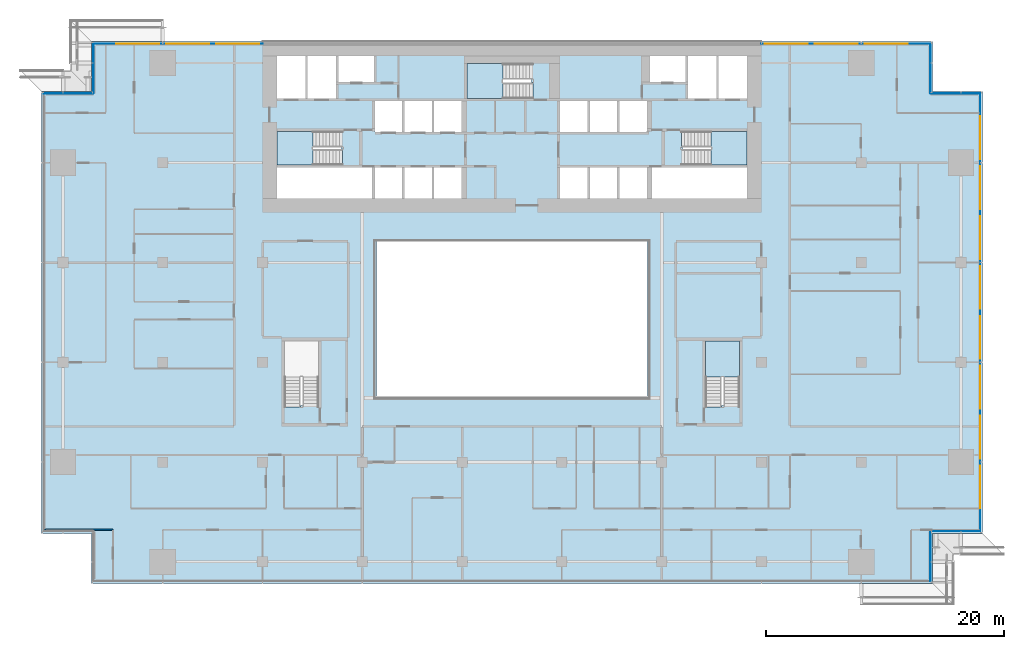
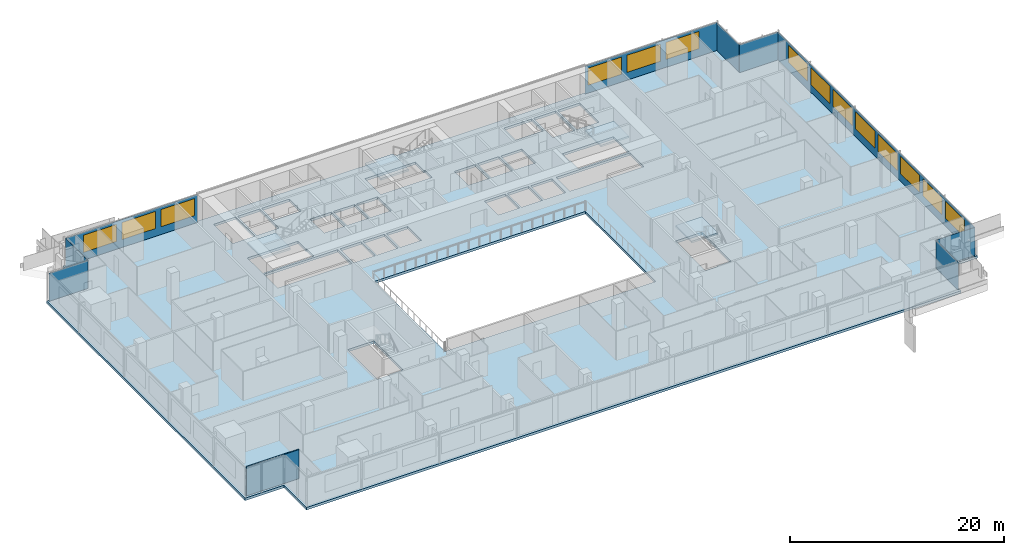
# One storey, part 17 of 30: 14 windows, 9 plates, 5 slabs, 1 wall, 14 openings, 12 elements without a shape of their own.
"""IFC4 building model written with IfcOpenShell, lengths in metres."""

from ifc_helpers import new_model, si_unit, direction, frame, frame_2d, origin, place, context, subcontext, project, spatial, polyline, rectangle, outline, extrude, material, layer, layer_set, type_object, element, fill, aggregate, save


model = new_model("IFC4")

# Units and contexts
model_context = context("Model", 3, precision=1e-05, world=origin(), true_north=direction((0.0, 1.0)))
body_context = subcontext(model_context, "Body", "Model", "MODEL_VIEW")
ifc_project = project(units=[si_unit("LENGTHUNIT", "METRE"), si_unit("AREAUNIT", "SQUARE_METRE"), si_unit("VOLUMEUNIT", "CUBIC_METRE"), si_unit("PLANEANGLEUNIT", "RADIAN"), si_unit("MASSUNIT", "GRAM", prefix="KILO")], contexts=[model_context])

# Site, building, storey
site_placement = place(None, origin())
site = spatial("IfcSite", under=ifc_project, at=site_placement, CompositionType="ELEMENT")
building_placement = place(site_placement, origin())
building = spatial("IfcBuilding", under=site, at=building_placement, Name="Saffron Gate Tower", CompositionType="ELEMENT")
storey_placement = place(building_placement, frame((0.0, 0.0, 69.60009765625)))
storey = spatial("IfcBuildingStorey", under=building, at=storey_placement, Name="L16", CompositionType="ELEMENT", Elevation=69.60009765625)

# Curtain wall, plate, openings, windows
ifc_material_1 = material(Name="Aluminium, bronze anodised", Category="aluminium")
curtain_wall_type_1 = type_object("IfcCurtainWallType", Name="CWS2 curtain wall side facades", PredefinedType="NOTDEFINED", material=ifc_material_1)
curtain_wall_1_placement = place(storey_placement, origin())
curtain_wall_1 = element("IfcCurtainWall", 1, at=curtain_wall_1_placement, inside=storey, type_object=curtain_wall_type_1, Name="CWS2 run 4", PredefinedType="NOTDEFINED")
ifc_material_2 = material(Name="Fritted bronze-tinted laminated glass", Category="glass")
ifc_layer_1 = layer(ifc_material_2, 0.028076171875)
ifc_layer_set_1 = layer_set([ifc_layer_1], Name="CWS2 fixed glass")
plate_type_1 = type_object("IfcPlateType", Name="CWS2 fixed glass", PredefinedType="CURTAIN_PANEL", material=ifc_layer_set_1)
plate_1_placement = place(storey_placement, frame((127.02587890625, 34.387939453125, 0.0), z_axis=(0.0, 0.0, 1.0), x_axis=(0.0, 1.0, 0.0)))
plate_1 = element("IfcPlate", 2, at=plate_1_placement, type_object=plate_type_1, Name="CWS2 glass panel", PredefinedType="CURTAIN_PANEL", context=body_context, shape_type="SweptSolid", body=[
    extrude(rectangle(XDim=36.823974609375, YDim=0.028076171875, at=frame_2d((18.412109375, 0.0))), origin(), (0.0, 0.0, 1.0), 3.199951171875),
])
opening_1_placement = place(plate_1_placement, frame((1.912109375, 0.0, 0.89990234375)))
opening_1 = element("IfcOpeningElement", 3, at=opening_1_placement, cuts=plate_1, Name="Opening W1", PredefinedType="OPENING", context=body_context, shape_type="SweptSolid", body=[
    extrude(rectangle(XDim=3.60009765625, YDim=1.949951171875, at=frame_2d((1.800048828125, 0.97509765625))), frame((0.0, 0.02392578125, 0.0), z_axis=(0.0, -1.0, 0.0), x_axis=(1.0, 0.0, 0.0)), (0.0, 0.0, 1.0), 0.048095703125),
])
opening_2_placement = place(plate_1_placement, frame((6.112060546875, 0.0, 0.89990234375)))
opening_2 = element("IfcOpeningElement", 4, at=opening_2_placement, cuts=plate_1, Name="Opening W1", PredefinedType="OPENING", context=body_context, shape_type="SweptSolid", body=[
    extrude(rectangle(XDim=3.60009765625, YDim=1.949951171875, at=frame_2d((1.800048828125, 0.97509765625))), frame((0.0, 0.02392578125, 0.0), z_axis=(0.0, -1.0, 0.0), x_axis=(1.0, 0.0, 0.0)), (0.0, 0.0, 1.0), 0.048095703125),
])
opening_3_placement = place(plate_1_placement, frame((10.31201171875, 0.0, 0.89990234375)))
opening_3 = element("IfcOpeningElement", 5, at=opening_3_placement, cuts=plate_1, Name="Opening W1", PredefinedType="OPENING", context=body_context, shape_type="SweptSolid", body=[
    extrude(rectangle(XDim=3.60009765625, YDim=1.949951171875, at=frame_2d((1.800048828125, 0.97509765625))), frame((0.0, 0.02392578125, 0.0), z_axis=(0.0, -1.0, 0.0), x_axis=(1.0, 0.0, 0.0)), (0.0, 0.0, 1.0), 0.048095703125),
])
opening_4_placement = place(plate_1_placement, frame((14.511962890625, 0.0, 0.89990234375)))
opening_4 = element("IfcOpeningElement", 6, at=opening_4_placement, cuts=plate_1, Name="Opening W1", PredefinedType="OPENING", context=body_context, shape_type="SweptSolid", body=[
    extrude(rectangle(XDim=3.60009765625, YDim=1.949951171875, at=frame_2d((1.800048828125, 0.97509765625))), frame((0.0, 0.02392578125, 0.0), z_axis=(0.0, -1.0, 0.0), x_axis=(1.0, 0.0, 0.0)), (0.0, 0.0, 1.0), 0.048095703125),
])
opening_5_placement = place(plate_1_placement, frame((18.7119140625, 0.0, 0.89990234375)))
opening_5 = element("IfcOpeningElement", 7, at=opening_5_placement, cuts=plate_1, Name="Opening W1", PredefinedType="OPENING", context=body_context, shape_type="SweptSolid", body=[
    extrude(rectangle(XDim=3.60009765625, YDim=1.949951171875, at=frame_2d((1.800048828125, 0.97509765625))), frame((0.0, 0.02392578125, 0.0), z_axis=(0.0, -1.0, 0.0), x_axis=(1.0, 0.0, 0.0)), (0.0, 0.0, 1.0), 0.048095703125),
])
opening_6_placement = place(plate_1_placement, frame((22.912109375, 0.0, 0.89990234375)))
opening_6 = element("IfcOpeningElement", 8, at=opening_6_placement, cuts=plate_1, Name="Opening W1", PredefinedType="OPENING", context=body_context, shape_type="SweptSolid", body=[
    extrude(rectangle(XDim=3.60009765625, YDim=1.949951171875, at=frame_2d((1.800048828125, 0.97509765625))), frame((0.0, 0.02392578125, 0.0), z_axis=(0.0, -1.0, 0.0), x_axis=(1.0, 0.0, 0.0)), (0.0, 0.0, 1.0), 0.048095703125),
])
opening_7_placement = place(plate_1_placement, frame((27.112060546875, 0.0, 0.89990234375)))
opening_7 = element("IfcOpeningElement", 9, at=opening_7_placement, cuts=plate_1, Name="Opening W1", PredefinedType="OPENING", context=body_context, shape_type="SweptSolid", body=[
    extrude(rectangle(XDim=3.60009765625, YDim=1.949951171875, at=frame_2d((1.800048828125, 0.97509765625))), frame((0.0, 0.02392578125, 0.0), z_axis=(0.0, -1.0, 0.0), x_axis=(1.0, 0.0, 0.0)), (0.0, 0.0, 1.0), 0.048095703125),
])
opening_8_placement = place(plate_1_placement, frame((31.31201171875, 0.0, 0.89990234375)))
opening_8 = element("IfcOpeningElement", 10, at=opening_8_placement, cuts=plate_1, Name="Opening W1", PredefinedType="OPENING", context=body_context, shape_type="SweptSolid", body=[
    extrude(rectangle(XDim=3.60009765625, YDim=1.949951171875, at=frame_2d((1.800048828125, 0.97509765625))), frame((0.0, 0.02392578125, 0.0), z_axis=(0.0, -1.0, 0.0), x_axis=(1.0, 0.0, 0.0)), (0.0, 0.0, 1.0), 0.048095703125),
])
ifc_material_3 = material(Name="Fritted bronze-tinted laminated glass in bronze frame", Category="glass")
ifc_layer_2 = layer(ifc_material_3, 0.06005859375)
ifc_layer_set_2 = layer_set([ifc_layer_2], Name="W1 operable panel 3600x1950")
window_type = type_object("IfcWindowType", Name="W1 operable panel 3600x1950", PartitioningType="DOUBLE_PANEL_HORIZONTAL", PredefinedType="WINDOW", material=ifc_layer_set_2)
window_1_placement = place(opening_1_placement, origin())
window_1 = element("IfcWindow", 11, at=window_1_placement, type_object=window_type, Name="W1 operable panel", OverallHeight=1.949951171875, OverallWidth=3.60009765625, PartitioningType="SINGLE_PANEL", PredefinedType="WINDOW", context=body_context, shape_type="SweptSolid", body=[
    extrude(rectangle(XDim=3.60009765625, YDim=1.949951171875, at=frame_2d((1.800048828125, 0.97509765625))), frame((0.0, 0.013671875, 0.0), z_axis=(0.0, -1.0, 0.0), x_axis=(1.0, 0.0, 0.0)), (0.0, 0.0, 1.0), 0.027587890625),
])
fill(opening_1, window_1)
window_2_placement = place(opening_2_placement, origin())
window_2 = element("IfcWindow", 12, at=window_2_placement, type_object=window_type, Name="W1 operable panel", OverallHeight=1.949951171875, OverallWidth=3.60009765625, PartitioningType="SINGLE_PANEL", PredefinedType="WINDOW", context=body_context, shape_type="SweptSolid", body=[
    extrude(rectangle(XDim=3.60009765625, YDim=1.949951171875, at=frame_2d((1.800048828125, 0.97509765625))), frame((0.0, 0.013671875, 0.0), z_axis=(0.0, -1.0, 0.0), x_axis=(1.0, 0.0, 0.0)), (0.0, 0.0, 1.0), 0.027587890625),
])
fill(opening_2, window_2)
window_3_placement = place(opening_3_placement, origin())
window_3 = element("IfcWindow", 13, at=window_3_placement, type_object=window_type, Name="W1 operable panel", OverallHeight=1.949951171875, OverallWidth=3.60009765625, PartitioningType="SINGLE_PANEL", PredefinedType="WINDOW", context=body_context, shape_type="SweptSolid", body=[
    extrude(rectangle(XDim=3.60009765625, YDim=1.949951171875, at=frame_2d((1.800048828125, 0.97509765625))), frame((0.0, 0.013671875, 0.0), z_axis=(0.0, -1.0, 0.0), x_axis=(1.0, 0.0, 0.0)), (0.0, 0.0, 1.0), 0.027587890625),
])
fill(opening_3, window_3)
window_4_placement = place(opening_4_placement, origin())
window_4 = element("IfcWindow", 14, at=window_4_placement, type_object=window_type, Name="W1 operable panel", OverallHeight=1.949951171875, OverallWidth=3.60009765625, PartitioningType="SINGLE_PANEL", PredefinedType="WINDOW", context=body_context, shape_type="SweptSolid", body=[
    extrude(rectangle(XDim=3.60009765625, YDim=1.949951171875, at=frame_2d((1.800048828125, 0.97509765625))), frame((0.0, 0.013671875, 0.0), z_axis=(0.0, -1.0, 0.0), x_axis=(1.0, 0.0, 0.0)), (0.0, 0.0, 1.0), 0.027587890625),
])
fill(opening_4, window_4)
window_5_placement = place(opening_5_placement, origin())
window_5 = element("IfcWindow", 15, at=window_5_placement, type_object=window_type, Name="W1 operable panel", OverallHeight=1.949951171875, OverallWidth=3.60009765625, PartitioningType="SINGLE_PANEL", PredefinedType="WINDOW", context=body_context, shape_type="SweptSolid", body=[
    extrude(rectangle(XDim=3.60009765625, YDim=1.949951171875, at=frame_2d((1.800048828125, 0.97509765625))), frame((0.0, 0.013671875, 0.0), z_axis=(0.0, -1.0, 0.0), x_axis=(1.0, 0.0, 0.0)), (0.0, 0.0, 1.0), 0.027587890625),
])
fill(opening_5, window_5)
window_6_placement = place(opening_6_placement, origin())
window_6 = element("IfcWindow", 16, at=window_6_placement, type_object=window_type, Name="W1 operable panel", OverallHeight=1.949951171875, OverallWidth=3.60009765625, PartitioningType="SINGLE_PANEL", PredefinedType="WINDOW", context=body_context, shape_type="SweptSolid", body=[
    extrude(rectangle(XDim=3.60009765625, YDim=1.949951171875, at=frame_2d((1.800048828125, 0.97509765625))), frame((0.0, 0.013671875, 0.0), z_axis=(0.0, -1.0, 0.0), x_axis=(1.0, 0.0, 0.0)), (0.0, 0.0, 1.0), 0.027587890625),
])
fill(opening_6, window_6)
window_7_placement = place(opening_7_placement, origin())
window_7 = element("IfcWindow", 17, at=window_7_placement, type_object=window_type, Name="W1 operable panel", OverallHeight=1.949951171875, OverallWidth=3.60009765625, PartitioningType="SINGLE_PANEL", PredefinedType="WINDOW", context=body_context, shape_type="SweptSolid", body=[
    extrude(rectangle(XDim=3.60009765625, YDim=1.949951171875, at=frame_2d((1.800048828125, 0.97509765625))), frame((0.0, 0.013671875, 0.0), z_axis=(0.0, -1.0, 0.0), x_axis=(1.0, 0.0, 0.0)), (0.0, 0.0, 1.0), 0.027587890625),
])
fill(opening_7, window_7)
window_8_placement = place(opening_8_placement, origin())
window_8 = element("IfcWindow", 18, at=window_8_placement, type_object=window_type, Name="W1 operable panel", OverallHeight=1.949951171875, OverallWidth=3.60009765625, PartitioningType="SINGLE_PANEL", PredefinedType="WINDOW", context=body_context, shape_type="SweptSolid", body=[
    extrude(rectangle(XDim=3.60009765625, YDim=1.949951171875, at=frame_2d((1.800048828125, 0.97509765625))), frame((0.0, 0.013671875, 0.0), z_axis=(0.0, -1.0, 0.0), x_axis=(1.0, 0.0, 0.0)), (0.0, 0.0, 1.0), 0.027587890625),
])
fill(opening_8, window_8)
aggregate(curtain_wall_1, [plate_1, window_1, window_2, window_3, window_4, window_5, window_6, window_7, window_8])

# Curtain wall, plates, openings, windows
curtain_wall_type_2 = type_object("IfcCurtainWallType", Name="CWS3 curtain wall rear facade", PredefinedType="NOTDEFINED", material=ifc_material_1)
curtain_wall_2_placement = place(storey_placement, origin())
curtain_wall_2 = element("IfcCurtainWall", 19, at=curtain_wall_2_placement, inside=storey, type_object=curtain_wall_type_2, Name="CWS3 run 7", PredefinedType="NOTDEFINED")
ifc_material_4 = material(Name="Fritted grey-tinted laminated glass", Category="glass")
ifc_layer_3 = layer(ifc_material_4, 0.028076171875)
ifc_layer_set_3 = layer_set([ifc_layer_3], Name="CWS3 fixed glass")
plate_type_2 = type_object("IfcPlateType", Name="CWS3 fixed glass", PredefinedType="CURTAIN_PANEL", material=ifc_layer_set_3)
plate_2_placement = place(storey_placement, frame((122.81201171875, 75.426025390625, 0.0), z_axis=(0.0, 0.0, 1.0), x_axis=(-1.0, 0.0, 0.0)))
plate_2 = element("IfcPlate", 20, at=plate_2_placement, type_object=plate_type_2, Name="CWS3 glass panel", PredefinedType="CURTAIN_PANEL", context=body_context, shape_type="SweptSolid", body=[
    extrude(rectangle(XDim=14.2470703125, YDim=0.028076171875, at=frame_2d((7.12353515625, 0.0))), origin(), (0.0, 0.0, 1.0), 3.199951171875),
])
opening_9_placement = place(plate_2_placement, frame((1.912109375, 0.0, 0.89990234375)))
opening_9 = element("IfcOpeningElement", 21, at=opening_9_placement, cuts=plate_2, Name="Opening W1", PredefinedType="OPENING", context=body_context, shape_type="SweptSolid", body=[
    extrude(rectangle(XDim=3.60009765625, YDim=1.949951171875, at=frame_2d((1.800048828125, 0.97509765625))), frame((0.0, 0.02392578125, 0.0), z_axis=(0.0, -1.0, 0.0), x_axis=(1.0, 0.0, 0.0)), (0.0, 0.0, 1.0), 0.048095703125),
])
opening_10_placement = place(plate_2_placement, frame((6.112060546875, 0.0, 0.89990234375)))
opening_10 = element("IfcOpeningElement", 22, at=opening_10_placement, cuts=plate_2, Name="Opening W1", PredefinedType="OPENING", context=body_context, shape_type="SweptSolid", body=[
    extrude(rectangle(XDim=3.60009765625, YDim=1.949951171875, at=frame_2d((1.800048828125, 0.97509765625))), frame((0.0, 0.02392578125, 0.0), z_axis=(0.0, -1.0, 0.0), x_axis=(1.0, 0.0, 0.0)), (0.0, 0.0, 1.0), 0.048095703125),
])
opening_11_placement = place(plate_2_placement, frame((10.31201171875, 0.0, 0.89990234375)))
opening_11 = element("IfcOpeningElement", 23, at=opening_11_placement, cuts=plate_2, Name="Opening W1", PredefinedType="OPENING", context=body_context, shape_type="SweptSolid", body=[
    extrude(rectangle(XDim=3.60009765625, YDim=1.949951171875, at=frame_2d((1.800048828125, 0.97509765625))), frame((0.0, 0.02392578125, 0.0), z_axis=(0.0, -1.0, 0.0), x_axis=(1.0, 0.0, 0.0)), (0.0, 0.0, 1.0), 0.048095703125),
])
window_9_placement = place(opening_9_placement, origin())
window_9 = element("IfcWindow", 24, at=window_9_placement, type_object=window_type, Name="W1 operable panel", OverallHeight=1.949951171875, OverallWidth=3.60009765625, PartitioningType="SINGLE_PANEL", PredefinedType="WINDOW", context=body_context, shape_type="SweptSolid", body=[
    extrude(rectangle(XDim=3.60009765625, YDim=1.949951171875, at=frame_2d((1.800048828125, 0.97509765625))), frame((0.0, 0.013671875, 0.0), z_axis=(0.0, -1.0, 0.0), x_axis=(1.0, 0.0, 0.0)), (0.0, 0.0, 1.0), 0.027587890625),
])
fill(opening_9, window_9)
window_10_placement = place(opening_10_placement, origin())
window_10 = element("IfcWindow", 25, at=window_10_placement, type_object=window_type, Name="W1 operable panel", OverallHeight=1.949951171875, OverallWidth=3.60009765625, PartitioningType="SINGLE_PANEL", PredefinedType="WINDOW", context=body_context, shape_type="SweptSolid", body=[
    extrude(rectangle(XDim=3.60009765625, YDim=1.949951171875, at=frame_2d((1.800048828125, 0.97509765625))), frame((0.0, 0.013671875, 0.0), z_axis=(0.0, -1.0, 0.0), x_axis=(1.0, 0.0, 0.0)), (0.0, 0.0, 1.0), 0.027587890625),
])
fill(opening_10, window_10)
window_11_placement = place(opening_11_placement, origin())
window_11 = element("IfcWindow", 26, at=window_11_placement, type_object=window_type, Name="W1 operable panel", OverallHeight=1.949951171875, OverallWidth=3.60009765625, PartitioningType="SINGLE_PANEL", PredefinedType="WINDOW", context=body_context, shape_type="SweptSolid", body=[
    extrude(rectangle(XDim=3.60009765625, YDim=1.949951171875, at=frame_2d((1.800048828125, 0.97509765625))), frame((0.0, 0.013671875, 0.0), z_axis=(0.0, -1.0, 0.0), x_axis=(1.0, 0.0, 0.0)), (0.0, 0.0, 1.0), 0.027587890625),
])
fill(opening_11, window_11)
plate_3_placement = place(storey_placement, frame((66.635009765625, 75.426025390625, 0.0), z_axis=(0.0, 0.0, 1.0), x_axis=(-1.0, 0.0, 0.0)))
plate_3 = element("IfcPlate", 27, at=plate_3_placement, type_object=plate_type_2, Name="CWS3 glass panel", PredefinedType="CURTAIN_PANEL", context=body_context, shape_type="SweptSolid", body=[
    extrude(rectangle(XDim=14.2470703125, YDim=0.028076171875, at=frame_2d((7.12353515625, 0.0))), origin(), (0.0, 0.0, 1.0), 3.199951171875),
])
opening_12_placement = place(plate_3_placement, frame((0.3349609375, 0.0, 0.89990234375)))
opening_12 = element("IfcOpeningElement", 28, at=opening_12_placement, cuts=plate_3, Name="Opening W1", PredefinedType="OPENING", context=body_context, shape_type="SweptSolid", body=[
    extrude(rectangle(XDim=3.60009765625, YDim=1.949951171875, at=frame_2d((1.800048828125, 0.97509765625))), frame((0.0, 0.02392578125, 0.0), z_axis=(0.0, -1.0, 0.0), x_axis=(1.0, 0.0, 0.0)), (0.0, 0.0, 1.0), 0.048095703125),
])
opening_13_placement = place(plate_3_placement, frame((4.534912109375, 0.0, 0.89990234375)))
opening_13 = element("IfcOpeningElement", 29, at=opening_13_placement, cuts=plate_3, Name="Opening W1", PredefinedType="OPENING", context=body_context, shape_type="SweptSolid", body=[
    extrude(rectangle(XDim=3.60009765625, YDim=1.949951171875, at=frame_2d((1.800048828125, 0.97509765625))), frame((0.0, 0.02392578125, 0.0), z_axis=(0.0, -1.0, 0.0), x_axis=(1.0, 0.0, 0.0)), (0.0, 0.0, 1.0), 0.048095703125),
])
opening_14_placement = place(plate_3_placement, frame((8.735107421875, 0.0, 0.89990234375)))
opening_14 = element("IfcOpeningElement", 30, at=opening_14_placement, cuts=plate_3, Name="Opening W1", PredefinedType="OPENING", context=body_context, shape_type="SweptSolid", body=[
    extrude(rectangle(XDim=3.60009765625, YDim=1.949951171875, at=frame_2d((1.800048828125, 0.97509765625))), frame((0.0, 0.02392578125, 0.0), z_axis=(0.0, -1.0, 0.0), x_axis=(1.0, 0.0, 0.0)), (0.0, 0.0, 1.0), 0.048095703125),
])
window_12_placement = place(opening_12_placement, origin())
window_12 = element("IfcWindow", 31, at=window_12_placement, type_object=window_type, Name="W1 operable panel", OverallHeight=1.949951171875, OverallWidth=3.60009765625, PartitioningType="SINGLE_PANEL", PredefinedType="WINDOW", context=body_context, shape_type="SweptSolid", body=[
    extrude(rectangle(XDim=3.60009765625, YDim=1.949951171875, at=frame_2d((1.800048828125, 0.97509765625))), frame((0.0, 0.013671875, 0.0), z_axis=(0.0, -1.0, 0.0), x_axis=(1.0, 0.0, 0.0)), (0.0, 0.0, 1.0), 0.027587890625),
])
fill(opening_12, window_12)
window_13_placement = place(opening_13_placement, origin())
window_13 = element("IfcWindow", 32, at=window_13_placement, type_object=window_type, Name="W1 operable panel", OverallHeight=1.949951171875, OverallWidth=3.60009765625, PartitioningType="SINGLE_PANEL", PredefinedType="WINDOW", context=body_context, shape_type="SweptSolid", body=[
    extrude(rectangle(XDim=3.60009765625, YDim=1.949951171875, at=frame_2d((1.800048828125, 0.97509765625))), frame((0.0, 0.013671875, 0.0), z_axis=(0.0, -1.0, 0.0), x_axis=(1.0, 0.0, 0.0)), (0.0, 0.0, 1.0), 0.027587890625),
])
fill(opening_13, window_13)
window_14_placement = place(opening_14_placement, origin())
window_14 = element("IfcWindow", 33, at=window_14_placement, type_object=window_type, Name="W1 operable panel", OverallHeight=1.949951171875, OverallWidth=3.60009765625, PartitioningType="SINGLE_PANEL", PredefinedType="WINDOW", context=body_context, shape_type="SweptSolid", body=[
    extrude(rectangle(XDim=3.60009765625, YDim=1.949951171875, at=frame_2d((1.800048828125, 0.97509765625))), frame((0.0, 0.013671875, 0.0), z_axis=(0.0, -1.0, 0.0), x_axis=(1.0, 0.0, 0.0)), (0.0, 0.0, 1.0), 0.027587890625),
])
fill(opening_14, window_14)
aggregate(curtain_wall_2, [plate_2, plate_3, window_9, window_10, window_11, window_12, window_13, window_14])

# Curtain wall, plate
curtain_wall_type_3 = type_object("IfcCurtainWallType", Name="CWS4 curtain wall corner returns", PredefinedType="NOTDEFINED", material=ifc_material_1)
curtain_wall_3_placement = place(storey_placement, origin())
curtain_wall_3 = element("IfcCurtainWall", 34, at=curtain_wall_3_placement, inside=storey, type_object=curtain_wall_type_3, Name="CWS4 run 2", PredefinedType="NOTDEFINED")
ifc_layer_4 = layer(ifc_material_2, 0.028076171875)
ifc_layer_set_4 = layer_set([ifc_layer_4], Name="CWS4 fixed glass")
plate_type_3 = type_object("IfcPlateType", Name="CWS4 fixed glass", PredefinedType="CURTAIN_PANEL", material=ifc_layer_set_4)
plate_4_placement = place(storey_placement, frame((122.825927734375, 30.18798828125, 0.0), z_axis=(0.0, 0.0, 1.0), x_axis=(0.0, 1.0, 0.0)))
plate_4 = element("IfcPlate", 35, at=plate_4_placement, type_object=plate_type_3, Name="CWS4 glass panel", PredefinedType="CURTAIN_PANEL", context=body_context, shape_type="SweptSolid", body=[
    extrude(rectangle(XDim=4.172119140625, YDim=0.028076171875, at=frame_2d((2.0859375, 0.0))), origin(), (0.0, 0.0, 1.0), 3.199951171875),
])
aggregate(curtain_wall_3, [plate_4])

curtain_wall_4_placement = place(storey_placement, origin())
curtain_wall_4 = element("IfcCurtainWall", 36, at=curtain_wall_4_placement, inside=storey, type_object=curtain_wall_type_3, Name="CWS4 run 3", PredefinedType="NOTDEFINED")
plate_5_placement = place(storey_placement, frame((122.840087890625, 34.3740234375, 0.0), z_axis=(0.0, 0.0, 1.0), x_axis=(1.0, 0.0, 0.0)))
plate_5 = element("IfcPlate", 37, at=plate_5_placement, type_object=plate_type_3, Name="CWS4 glass panel", PredefinedType="CURTAIN_PANEL", context=body_context, shape_type="SweptSolid", body=[
    extrude(rectangle(XDim=4.171875, YDim=0.028076171875, at=frame_2d((2.0859375, 0.0))), origin(), (0.0, 0.0, 1.0), 3.199951171875),
])
aggregate(curtain_wall_4, [plate_5])

curtain_wall_5_placement = place(storey_placement, origin())
curtain_wall_5 = element("IfcCurtainWall", 38, at=curtain_wall_5_placement, inside=storey, type_object=curtain_wall_type_3, Name="CWS4 run 5", PredefinedType="NOTDEFINED")
plate_6_placement = place(storey_placement, frame((127.011962890625, 71.22607421875, 0.0), z_axis=(0.0, 0.0, 1.0), x_axis=(-1.0, 0.0, 0.0)))
plate_6 = element("IfcPlate", 39, at=plate_6_placement, type_object=plate_type_3, Name="CWS4 glass panel", PredefinedType="CURTAIN_PANEL", context=body_context, shape_type="SweptSolid", body=[
    extrude(rectangle(XDim=4.171875, YDim=0.028076171875, at=frame_2d((2.0859375, 0.0))), origin(), (0.0, 0.0, 1.0), 3.199951171875),
])
aggregate(curtain_wall_5, [plate_6])

curtain_wall_6_placement = place(storey_placement, origin())
curtain_wall_6 = element("IfcCurtainWall", 40, at=curtain_wall_6_placement, inside=storey, type_object=curtain_wall_type_3, Name="CWS4 run 6", PredefinedType="NOTDEFINED")
plate_7_placement = place(storey_placement, frame((122.825927734375, 71.239990234375, 0.0), z_axis=(0.0, 0.0, 1.0), x_axis=(0.0, 1.0, 0.0)))
plate_7 = element("IfcPlate", 41, at=plate_7_placement, type_object=plate_type_3, Name="CWS4 glass panel", PredefinedType="CURTAIN_PANEL", context=body_context, shape_type="SweptSolid", body=[
    extrude(rectangle(XDim=4.172119140625, YDim=0.028076171875, at=frame_2d((2.0859375, 0.0))), origin(), (0.0, 0.0, 1.0), 3.199951171875),
])
aggregate(curtain_wall_6, [plate_7])

curtain_wall_7_placement = place(storey_placement, origin())
curtain_wall_7 = element("IfcCurtainWall", 42, at=curtain_wall_7_placement, inside=storey, type_object=curtain_wall_type_3, Name="CWS4 run 8", PredefinedType="NOTDEFINED")
plate_8_placement = place(storey_placement, frame((52.3740234375, 75.412109375, 0.0), z_axis=(0.0, 0.0, 1.0), x_axis=(0.0, -1.0, 0.0)))
plate_8 = element("IfcPlate", 43, at=plate_8_placement, type_object=plate_type_3, Name="CWS4 glass panel", PredefinedType="CURTAIN_PANEL", context=body_context, shape_type="SweptSolid", body=[
    extrude(rectangle(XDim=4.172119140625, YDim=0.028076171875, at=frame_2d((2.0859375, 0.0))), origin(), (0.0, 0.0, 1.0), 3.199951171875),
])
aggregate(curtain_wall_7, [plate_8])

curtain_wall_8_placement = place(storey_placement, origin())
curtain_wall_8 = element("IfcCurtainWall", 44, at=curtain_wall_8_placement, inside=storey, type_object=curtain_wall_type_3, Name="CWS4 run 9", PredefinedType="NOTDEFINED")
plate_9_placement = place(storey_placement, frame((52.360107421875, 71.22607421875, 0.0), z_axis=(0.0, 0.0, 1.0), x_axis=(-1.0, 0.0, 0.0)))
plate_9 = element("IfcPlate", 45, at=plate_9_placement, type_object=plate_type_3, Name="CWS4 glass panel", PredefinedType="CURTAIN_PANEL", context=body_context, shape_type="SweptSolid", body=[
    extrude(rectangle(XDim=4.172119140625, YDim=0.028076171875, at=frame_2d((2.0859375, 0.0))), origin(), (0.0, 0.0, 1.0), 3.199951171875),
])
aggregate(curtain_wall_8, [plate_9])

# Slab
ifc_material_5 = material(Name="Concrete C40", Category="concrete")
ifc_layer_5 = layer(ifc_material_5, 0.280029296875)
ifc_layer_set_5 = layer_set([ifc_layer_5], Name="S2 FLOOR SLAB 280 CONCRETE C40")
slab_type_1 = type_object("IfcSlabType", Name="S2 FLOOR SLAB 280 CONCRETE C40", PredefinedType="FLOOR", material=ifc_layer_set_5)
slab_1_placement = place(storey_placement, frame((0.0, 0.0, -0.280029296875)))
element("IfcSlab", 46, at=slab_1_placement, inside=storey, type_object=slab_type_1, Name="S2 FLOOR SLAB", PredefinedType="FLOOR", context=body_context, shape_type="SweptSolid", body=[
    extrude(outline(polyline([(48.0, 34.199951171875), (52.199951171875, 34.199951171875), (52.199951171875, 30.0), (123.0, 30.0), (123.0, 34.199951171875), (127.199951171875, 34.199951171875), (127.199951171875, 71.39990234375), (123.0, 71.39990234375), (123.0, 75.60009765625), (52.199951171875, 75.60009765625), (52.199951171875, 71.39990234375), (48.0, 71.39990234375), (48.0, 34.199951171875)]), holes=[polyline([(67.800048828125, 62.39990234375), (67.800048828125, 65.0), (75.800048828125, 65.0), (75.800048828125, 62.39990234375), (67.800048828125, 62.39990234375)]), polyline([(67.800048828125, 65.199951171875), (67.800048828125, 68.050048828125), (73.25, 68.050048828125), (73.25, 66.550048828125), (73.34912109375, 66.550048828125), (73.34912109375, 65.199951171875), (67.800048828125, 65.199951171875)]), polyline([(67.800048828125, 70.800048828125), (67.800048828125, 74.39990234375), (70.199951171875, 74.39990234375), (70.199951171875, 70.800048828125), (67.800048828125, 70.800048828125)]), polyline([(68.449951171875, 44.85107421875), (68.449951171875, 50.39990234375), (71.300048828125, 50.39990234375), (71.300048828125, 44.949951171875), (69.800048828125, 44.949951171875), (69.800048828125, 44.85107421875), (68.449951171875, 44.85107421875)]), polyline([(70.39990234375, 70.800048828125), (70.39990234375, 74.39990234375), (72.800048828125, 74.39990234375), (72.800048828125, 70.800048828125), (70.39990234375, 70.800048828125)]), polyline([(73.0, 72.199951171875), (73.0, 74.39990234375), (76.0, 74.39990234375), (76.0, 72.199951171875), (73.0, 72.199951171875)]), polyline([(76.050048828125, 62.39990234375), (76.050048828125, 65.0), (78.35009765625, 65.0), (78.35009765625, 62.39990234375), (76.050048828125, 62.39990234375)]), polyline([(76.050048828125, 68.0), (76.050048828125, 70.60009765625), (78.35009765625, 70.60009765625), (78.35009765625, 68.0), (76.050048828125, 68.0)]), polyline([(76.199951171875, 45.60009765625), (76.199951171875, 58.800048828125), (99.0, 58.800048828125), (99.0, 45.60009765625), (76.199951171875, 45.60009765625)]), polyline([(78.550048828125, 62.39990234375), (78.550048828125, 65.0), (80.85009765625, 65.0), (80.85009765625, 62.39990234375), (78.550048828125, 62.39990234375)]), polyline([(78.550048828125, 68.0), (78.550048828125, 70.60009765625), (80.85009765625, 70.60009765625), (80.85009765625, 68.0), (78.550048828125, 68.0)]), polyline([(81.050048828125, 62.39990234375), (81.050048828125, 65.0), (83.35009765625, 65.0), (83.35009765625, 62.39990234375), (81.050048828125, 62.39990234375)]), polyline([(81.050048828125, 68.0), (81.050048828125, 70.60009765625), (83.35009765625, 70.60009765625), (83.35009765625, 68.0), (81.050048828125, 68.0)]), polyline([(83.800048828125, 70.800048828125), (83.800048828125, 73.75), (89.25, 73.75), (89.25, 72.14990234375), (89.34912109375, 72.14990234375), (89.34912109375, 70.800048828125), (83.800048828125, 70.800048828125)]), polyline([(91.64990234375, 62.39990234375), (91.64990234375, 65.0), (93.949951171875, 65.0), (93.949951171875, 62.39990234375), (91.64990234375, 62.39990234375)]), polyline([(91.64990234375, 68.0), (91.64990234375, 70.60009765625), (93.949951171875, 70.60009765625), (93.949951171875, 68.0), (91.64990234375, 68.0)]), polyline([(94.14990234375, 62.39990234375), (94.14990234375, 65.0), (96.449951171875, 65.0), (96.449951171875, 62.39990234375), (94.14990234375, 62.39990234375)]), polyline([(94.14990234375, 68.0), (94.14990234375, 70.60009765625), (96.449951171875, 70.60009765625), (96.449951171875, 68.0), (94.14990234375, 68.0)]), polyline([(96.64990234375, 62.39990234375), (96.64990234375, 65.0), (98.949951171875, 65.0), (98.949951171875, 62.39990234375), (96.64990234375, 62.39990234375)]), polyline([(96.64990234375, 68.0), (96.64990234375, 70.60009765625), (98.949951171875, 70.60009765625), (98.949951171875, 68.0), (96.64990234375, 68.0)]), polyline([(99.199951171875, 72.199951171875), (99.199951171875, 74.39990234375), (102.199951171875, 74.39990234375), (102.199951171875, 72.199951171875), (99.199951171875, 72.199951171875)]), polyline([(99.39990234375, 62.39990234375), (99.39990234375, 65.0), (107.39990234375, 65.0), (107.39990234375, 62.39990234375), (99.39990234375, 62.39990234375)]), polyline([(101.85107421875, 66.699951171875), (101.85107421875, 68.050048828125), (107.39990234375, 68.050048828125), (107.39990234375, 65.199951171875), (101.949951171875, 65.199951171875), (101.949951171875, 66.699951171875), (101.85107421875, 66.699951171875)]), polyline([(102.39990234375, 70.800048828125), (102.39990234375, 74.39990234375), (104.800048828125, 74.39990234375), (104.800048828125, 70.800048828125), (102.39990234375, 70.800048828125)]), polyline([(103.89990234375, 44.85107421875), (103.89990234375, 50.39990234375), (106.75, 50.39990234375), (106.75, 44.949951171875), (105.25, 44.949951171875), (105.25, 44.85107421875), (103.89990234375, 44.85107421875)]), polyline([(105.0, 70.800048828125), (105.0, 74.39990234375), (107.39990234375, 74.39990234375), (107.39990234375, 70.800048828125), (105.0, 70.800048828125)])]), origin(), (0.0, 0.0, 1.0), 0.280029296875),
])

# Stair, slab
stair_type = type_object("IfcStairType", Name="ST7 Stair 1350 wide, 20 risers of 180", PredefinedType="HALF_TURN_STAIR", material=ifc_material_5)
stair_1_placement = place(storey_placement, origin())
stair_1 = element("IfcStair", 47, at=stair_1_placement, inside=storey, type_object=stair_type, Name="L16 Exit stair A", PredefinedType="HALF_TURN_STAIR")
ifc_layer_6 = layer(ifc_material_5, 0.199951171875)
ifc_layer_set_6 = layer_set([ifc_layer_6], Name="SL1 Stair landing 200")
slab_type_2 = type_object("IfcSlabType", Name="SL1 Stair landing 200", PredefinedType="LANDING", material=ifc_layer_set_6)
slab_2_placement = place(storey_placement, frame((0.0, 0.0, 1.599853515625)))
slab_2 = element("IfcSlab", 48, at=slab_2_placement, type_object=slab_type_2, Name="ST-A landing 1", PredefinedType="LANDING", context=body_context, shape_type="SweptSolid", body=[
    extrude(outline(polyline([(70.830078125, 68.050048828125), (67.800048828125, 68.050048828125), (67.800048828125, 65.199951171875), (70.830078125, 65.199951171875), (70.830078125, 68.050048828125)])), origin(), (0.0, 0.0, 1.0), 0.199951171875),
])
aggregate(stair_1, [slab_2])

stair_2_placement = place(storey_placement, origin())
stair_2 = element("IfcStair", 49, at=stair_2_placement, inside=storey, type_object=stair_type, Name="L16 Exit stair B", PredefinedType="HALF_TURN_STAIR")
slab_3_placement = place(storey_placement, frame((0.0, 0.0, 1.599853515625)))
slab_3 = element("IfcSlab", 50, at=slab_3_placement, type_object=slab_type_2, Name="ST-B landing 1", PredefinedType="LANDING", context=body_context, shape_type="SweptSolid", body=[
    extrude(outline(polyline([(104.3701171875, 65.199951171875), (107.39990234375, 65.199951171875), (107.39990234375, 68.050048828125), (104.3701171875, 68.050048828125), (104.3701171875, 65.199951171875)])), origin(), (0.0, 0.0, 1.0), 0.199951171875),
])
aggregate(stair_2, [slab_3])

stair_3_placement = place(storey_placement, origin())
stair_3 = element("IfcStair", 51, at=stair_3_placement, inside=storey, type_object=stair_type, Name="L16 Exit stair C", PredefinedType="HALF_TURN_STAIR")
slab_4_placement = place(storey_placement, frame((0.0, 0.0, 1.599853515625)))
slab_4 = element("IfcSlab", 52, at=slab_4_placement, type_object=slab_type_2, Name="ST-C landing 1", PredefinedType="LANDING", context=body_context, shape_type="SweptSolid", body=[
    extrude(outline(polyline([(86.830078125, 73.75), (83.800048828125, 73.75), (83.800048828125, 70.800048828125), (86.830078125, 70.800048828125), (86.830078125, 73.75)])), origin(), (0.0, 0.0, 1.0), 0.199951171875),
])
aggregate(stair_3, [slab_4])

stair_4_placement = place(storey_placement, origin())
stair_4 = element("IfcStair", 53, at=stair_4_placement, inside=storey, type_object=stair_type, Name="L16 Exit stair E", PredefinedType="HALF_TURN_STAIR")
slab_5_placement = place(storey_placement, frame((0.0, 0.0, 1.599853515625)))
slab_5 = element("IfcSlab", 54, at=slab_5_placement, type_object=slab_type_2, Name="ST-E landing 1", PredefinedType="LANDING", context=body_context, shape_type="SweptSolid", body=[
    extrude(outline(polyline([(106.75, 47.3701171875), (106.75, 50.39990234375), (103.89990234375, 50.39990234375), (103.89990234375, 47.3701171875), (106.75, 47.3701171875)])), origin(), (0.0, 0.0, 1.0), 0.199951171875),
])
aggregate(stair_4, [slab_5])

# Wall
ifc_material_6 = material(Name="Plasterboard on steel studs", Category="steel")
ifc_layer_7 = layer(ifc_material_6, 0.10009765625)
ifc_layer_set_7 = layer_set([ifc_layer_7], Name="PW1 Partition 100")
wall_type = type_object("IfcWallType", Name="PW1 Partition 100", PredefinedType="PARTITIONING", material=ifc_layer_set_7)
wall_placement = place(storey_placement, frame((48.280029296875, 34.5, 0.0), z_axis=(0.0, 0.0, 1.0), x_axis=(1.0, 0.0, 0.0)))
element("IfcWall", 55, at=wall_placement, inside=storey, type_object=wall_type, Name="Partition A4-1", PredefinedType="PARTITIONING", context=body_context, shape_type="SweptSolid", body=[
    extrude(rectangle(XDim=5.719970703125, YDim=0.10009765625, at=frame_2d((2.85986328125, 0.0))), origin(), (0.0, 0.0, 1.0), 3.31982421875),
])

save(model, "model.ifc")
